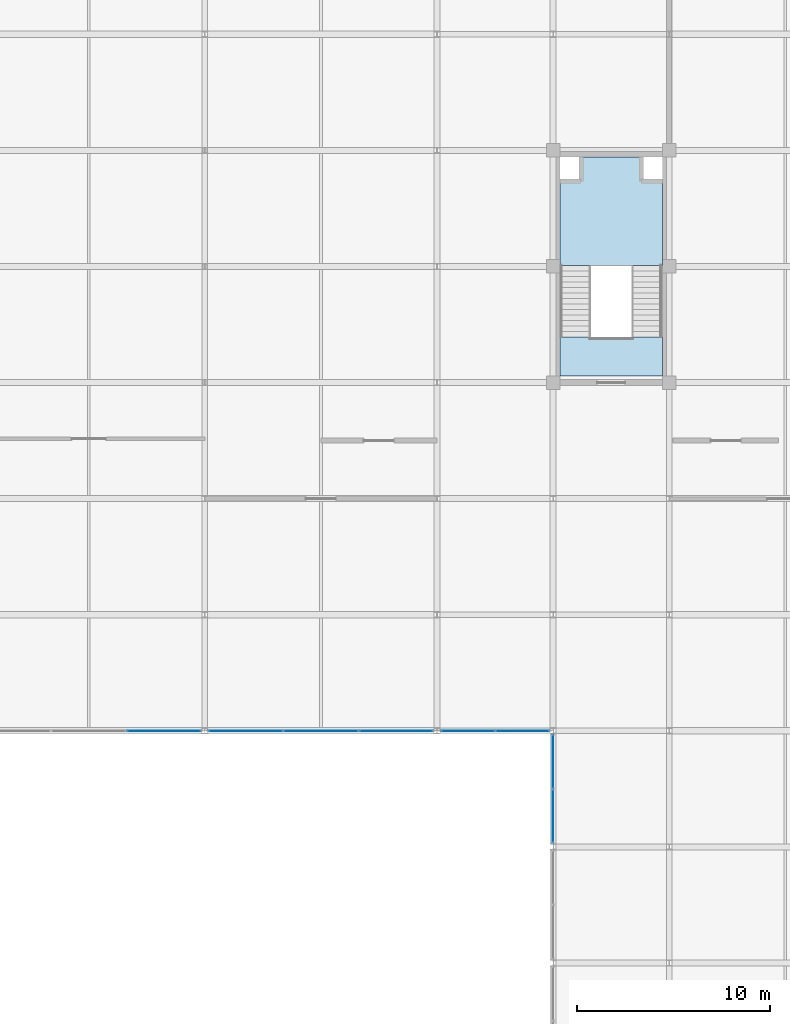
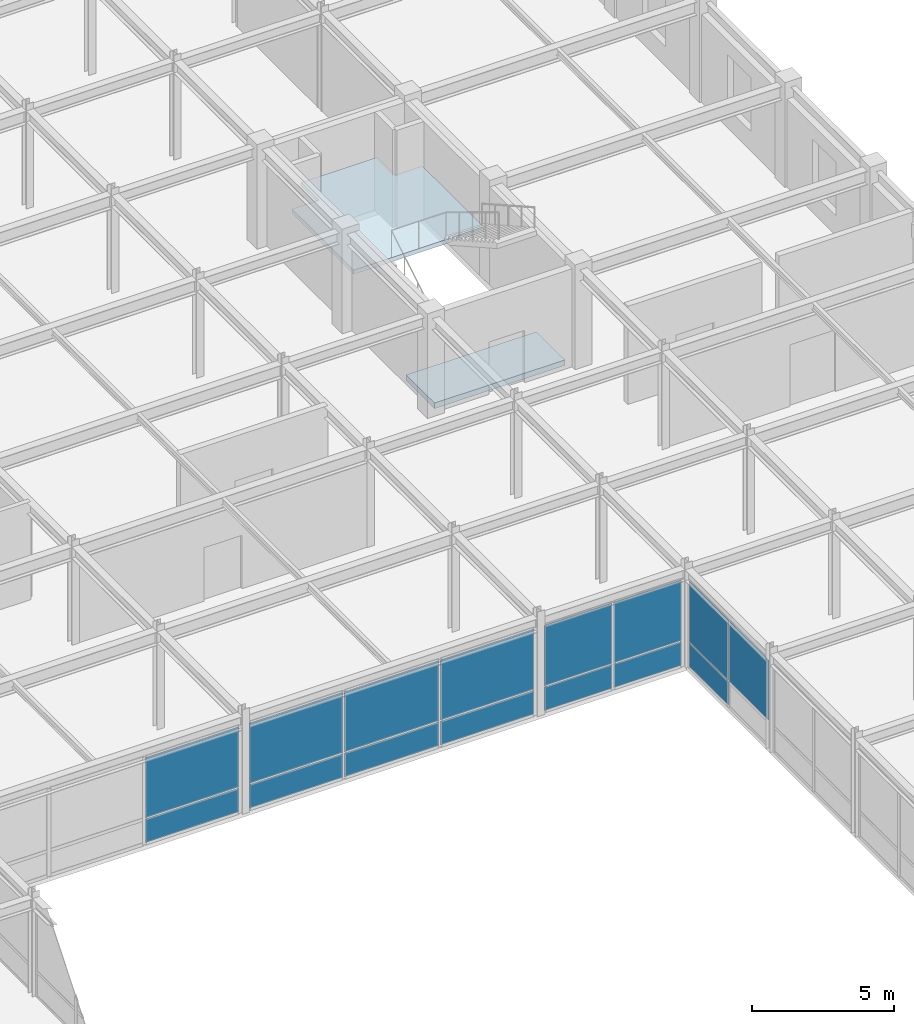
# One storey, part 96 of 108: 15 plates, 2 slabs, 5 elements without a shape of their own.
"""IFC4 building model written with IfcOpenShell, lengths in metres."""

import ifcopenshell
import ifcopenshell.guid

model = None  # the IFC model being written
_history = None  # IfcOwnerHistory: only IFC2X3 demands one
_inside = {}  # id of a spatial element -> (the spatial element, [elements in it])
_under = {}  # id of a project, library or spatial element -> (it, [spatial elements below it])
_declared = {}  # id of a project -> (the project, [libraries it declares])
_typed = {}  # id of a type object -> (the type object, [elements of that type])
_made_of = {}  # id of a material, layer set ... -> (it, [elements and type objects made of it])


def new_model(schema):
    """Start an empty IFC model of exactly this schema.

    Asked for "IFC4X3", IfcOpenShell would pick the latest addendum, in which some entities
    have other attributes; the version numbers below select the first issue.
    IFC2X3 requires an IfcOwnerHistory on every rooted entity: one is made here for all.
    """
    global model, _history
    if schema == "IFC4X3":
        model = ifcopenshell.file(schema_version=(4, 3, 0, 0))
    else:
        model = ifcopenshell.file(schema=schema)
    _inside.clear()
    _under.clear()
    _declared.clear()
    _typed.clear()
    _made_of.clear()
    _history = None
    if model.schema == "IFC2X3":
        org = make("IfcOrganization", Name="unknown")
        user = make(
            "IfcPersonAndOrganization",
            ThePerson=make("IfcPerson", FamilyName="unknown"),
            TheOrganization=org,
        )
        app = make(
            "IfcApplication",
            ApplicationDeveloper=org,
            Version="unknown",
            ApplicationFullName="unknown",
            ApplicationIdentifier="unknown",
        )
        _history = make(
            "IfcOwnerHistory",
            OwningUser=user,
            OwningApplication=app,
            ChangeAction="ADDED",
            CreationDate=0,
        )
    return model


def make(cls, **values):
    """One entity of the class cls with the attributes given. An attribute that is None is left unset."""
    return model.create_entity(
        cls, **{name: value for name, value in values.items() if value is not None}
    )


def rooted(cls, **values):
    """An entity with a GlobalId (a new one), such as an element, a storey or a relation."""
    return make(cls, GlobalId=ifcopenshell.guid.new(), OwnerHistory=_history, **values)


def si_unit(unit_type, name, prefix=None):
    """IfcSIUnit, for example si_unit("LENGTHUNIT", "METRE", prefix="MILLI")."""
    return make("IfcSIUnit", UnitType=unit_type, Prefix=prefix, Name=name)


def assignment(units):
    """IfcUnitAssignment: the units of a project."""
    return None if units is None else make("IfcUnitAssignment", Units=units)


def point(xyz):
    """IfcCartesianPoint."""
    return None if xyz is None else make("IfcCartesianPoint", Coordinates=xyz)


def direction(xyz):
    """IfcDirection."""
    return None if xyz is None else make("IfcDirection", DirectionRatios=xyz)


def frame(location, z_axis=None, x_axis=None):
    """IfcAxis2Placement3D, a coordinate frame: its origin and axes. An axis left out is left unset."""
    return make(
        "IfcAxis2Placement3D",
        Location=point(location),
        Axis=direction(z_axis),
        RefDirection=direction(x_axis),
    )


def frame_2d(location, x_axis=None):
    """IfcAxis2Placement2D, a coordinate frame in the plane: its origin and x axis."""
    return make(
        "IfcAxis2Placement2D", Location=point(location), RefDirection=direction(x_axis)
    )


def origin():
    """The frame at (0, 0, 0) with its axes left unset."""
    return frame((0.0, 0.0, 0.0))


def origin_2d():
    """The frame at (0, 0) in the plane with its x axis left unset."""
    return frame_2d((0.0, 0.0))


def place(relative_to, where):
    """IfcLocalPlacement: puts the frame where relative to a parent placement (None: the world)."""
    return make(
        "IfcLocalPlacement", PlacementRelTo=relative_to, RelativePlacement=where
    )


def context(
    kind, dimensions, precision=None, world=None, true_north=None, identifier=None
):
    """IfcGeometricRepresentationContext, for example the 3D "Model" context."""
    return make(
        "IfcGeometricRepresentationContext",
        ContextIdentifier=identifier,
        ContextType=kind,
        CoordinateSpaceDimension=dimensions,
        Precision=precision,
        WorldCoordinateSystem=world,
        TrueNorth=true_north,
    )


def subcontext(parent, identifier, kind, view, scale=None):
    """IfcGeometricRepresentationSubContext, for example "Body" below "Model"."""
    return make(
        "IfcGeometricRepresentationSubContext",
        ContextIdentifier=identifier,
        ContextType=kind,
        ParentContext=parent,
        TargetScale=scale,
        TargetView=view,
    )


def project(units=None, contexts=None):
    """IfcProject with its units and contexts."""
    return rooted(
        "IfcProject",
        Name="project",
        RepresentationContexts=contexts,
        UnitsInContext=assignment(units),
    )


def spatial(cls, under=None, at=None, **own):
    """A site, building, storey or space (cls), placed at a placement, below another one or the project."""
    s = rooted(cls, ObjectPlacement=at, **own)
    if under is not None:
        _under.setdefault(under.id(), (under, []))[1].append(s)
    return s


def polyline(points):
    """IfcPolyline through the points."""
    return make("IfcPolyline", Points=[point(p) for p in points])


def profile(cls, at=None, kind="AREA", **sizes):
    """A parametric profile (cls). Its sizes go by their IFC names, for example OverallWidth=200.0."""
    return make(cls, ProfileType=kind, Position=at, **sizes)


def rectangle(**sizes):
    """IfcRectangleProfileDef."""
    return profile("IfcRectangleProfileDef", **sizes)


def outline(outer, holes=None, kind="AREA"):
    """IfcArbitraryClosedProfileDef: a profile drawn as a closed curve; with holes, ...WithVoids."""
    if holes is None:
        return make("IfcArbitraryClosedProfileDef", ProfileType=kind, OuterCurve=outer)
    return make(
        "IfcArbitraryProfileDefWithVoids",
        ProfileType=kind,
        OuterCurve=outer,
        InnerCurves=holes,
    )


def extrude(swept, where, along, depth):
    """IfcExtrudedAreaSolid: the profile swept, set in the frame where, extruded along a direction by depth."""
    return make(
        "IfcExtrudedAreaSolid",
        SweptArea=swept,
        Position=where,
        ExtrudedDirection=direction(along),
        Depth=depth,
    )


def shape(context_of_items, identifier, shape_type, items):
    """IfcShapeRepresentation: the items that make up one representation, for example the "Body"."""
    return make(
        "IfcShapeRepresentation",
        ContextOfItems=context_of_items,
        RepresentationIdentifier=identifier,
        RepresentationType=shape_type,
        Items=items,
    )


def material(Name=None, Category=None):
    """IfcMaterial."""
    return make("IfcMaterial", Name=Name, Category=Category)


def layer(
    of_material, thickness, ventilated=None, Name=None, Category=None, Priority=None
):
    """IfcMaterialLayer: one layer of a wall or slab, of a material (None: an air gap)."""
    return make(
        "IfcMaterialLayer",
        Material=of_material,
        LayerThickness=thickness,
        IsVentilated=ventilated,
        Name=Name,
        Category=Category,
        Priority=Priority,
    )


def layer_set(layers, Name=None):
    """IfcMaterialLayerSet."""
    return make("IfcMaterialLayerSet", MaterialLayers=layers, LayerSetName=Name)


def made_of(thing, what):
    """Note that an element or type object is made of a material, layer set ...; save() writes the relation."""
    if what is not None:
        _made_of.setdefault(what.id(), (what, []))[1].append(thing)
    return thing


def type_object(cls, material=None, **own):
    """A type object (cls), such as IfcWallType, which elements share."""
    return made_of(rooted(cls, **own), material)


def element(
    cls,
    number,
    at=None,
    inside=None,
    cuts=None,
    type_object=None,
    material=None,
    context=None,
    identifier="Body",
    shape_type=None,
    held_by="IfcProductDefinitionShape",
    body=None,
    shapes=None,
    **own,
):
    """One element of the class cls, such as IfcWall. Its Tag is "e" and its number.

    at: its placement. inside: the storey or other place that contains it. cuts: it is an
    opening in that element (IfcRelVoidsElement). A single representation is given by context,
    identifier, shape_type and body (its items); several are given by shapes. held_by: the class
    of the entity that holds the representations. save() writes the other relations.
    """
    e = rooted(cls, Tag="e%d" % number, ObjectPlacement=at, **own)
    if body is not None:
        shapes = [shape(context, identifier, shape_type, body)]
    if shapes is not None:
        e.Representation = make(held_by, Representations=shapes)
    if inside is not None:
        _inside.setdefault(inside.id(), (inside, []))[1].append(e)
    if cuts is not None:
        rooted(
            "IfcRelVoidsElement", RelatingBuildingElement=cuts, RelatedOpeningElement=e
        )
    if type_object is not None:
        _typed.setdefault(type_object.id(), (type_object, []))[1].append(e)
    return made_of(e, material)


def aggregate(whole, parts):
    """IfcRelAggregates: a whole, such as a stair, and the parts it consists of."""
    return rooted("IfcRelAggregates", RelatingObject=whole, RelatedObjects=parts)


def save(model, path):
    """Write the relations noted so far, then the file.

    IfcRelAggregates (storeys below a building ...), IfcRelContainedInSpatialStructure (elements
    in a storey), IfcRelDefinesByType, IfcRelAssociatesMaterial and IfcRelDeclares: one each for
    every whole, place, type object, material and project.
    """
    for whole, parts in _under.values():
        aggregate(whole, parts)
    for where, things in _inside.values():
        rooted(
            "IfcRelContainedInSpatialStructure",
            RelatedElements=things,
            RelatingStructure=where,
        )
    for kind, things in _typed.values():
        rooted("IfcRelDefinesByType", RelatedObjects=things, RelatingType=kind)
    for what, things in _made_of.values():
        rooted("IfcRelAssociatesMaterial", RelatedObjects=things, RelatingMaterial=what)
    for by, libraries in _declared.values():
        rooted("IfcRelDeclares", RelatingContext=by, RelatedDefinitions=libraries)
    model.write(path)


model = new_model("IFC4")

# Units and contexts
model_context = context("Model", 3, precision=1e-05, world=origin(), true_north=direction((0.0, 1.0)))
body_context = subcontext(model_context, "Body", "Model", "MODEL_VIEW")
ifc_project = project(units=[si_unit("LENGTHUNIT", "METRE"), si_unit("AREAUNIT", "SQUARE_METRE"), si_unit("VOLUMEUNIT", "CUBIC_METRE"), si_unit("PLANEANGLEUNIT", "RADIAN"), si_unit("MASSUNIT", "GRAM", prefix="KILO")], contexts=[model_context])

# Site, building, storey
site_placement = place(None, origin())
site = spatial("IfcSite", under=ifc_project, at=site_placement, CompositionType="ELEMENT")
building_placement = place(site_placement, origin())
building = spatial("IfcBuilding", under=site, at=building_placement, Name="Zlatovratsky Civic Hall", CompositionType="ELEMENT")
storey_placement = place(building_placement, frame((0.0, 0.0, 12.0)))
storey = spatial("IfcBuildingStorey", under=building, at=storey_placement, Name="L03", CompositionType="ELEMENT", Elevation=12.0)

# Curtain wall, plates
ifc_material_1 = material(Name="Anodised bronze aluminium", Category="aluminium")
ifc_layer_1 = layer(ifc_material_1, 0.159912109375)
ifc_layer_set_1 = layer_set([ifc_layer_1], Name="Anodised bronze aluminium")
curtain_wall_type_1 = type_object("IfcCurtainWallType", Name="CurtainWall_Bronze_11700x3770_11", PredefinedType="NOTDEFINED", material=ifc_layer_set_1)
curtain_wall_1_placement = place(storey_placement, origin())
curtain_wall_1 = element("IfcCurtainWall", 1, at=curtain_wall_1_placement, inside=storey, type_object=curtain_wall_type_1, Name="CW-072", PredefinedType="NOTDEFINED")
ifc_material_2 = material(Name="Low-E laminated double glazing", Category="glass")
ifc_layer_2 = layer(ifc_material_2, 0.02392578125)
ifc_layer_set_2 = layer_set([ifc_layer_2], Name="Low-E laminated double glazing")
plate_type = type_object("IfcPlateType", Name="Panel_CourtGlazing_24", PredefinedType="CURTAIN_PANEL", material=ifc_layer_set_2)
plate_1_placement = place(storey_placement, frame((129.88525390625, 66.0, 0.06005859375), z_axis=(0.0, 0.0, 1.0), x_axis=(1.0, 0.0, 0.0)))
plate_1 = element("IfcPlate", 2, at=plate_1_placement, type_object=plate_type, Name="CW-11 panel 3.1", PredefinedType="CURTAIN_PANEL", context=body_context, shape_type="SweptSolid", body=[
    extrude(rectangle(XDim=3.810302734375, YDim=0.02392578125, at=origin_2d()), origin(), (0.0, 0.0, 1.0), 1.010009765625),
])
plate_2_placement = place(storey_placement, frame((129.88525390625, 66.0, 1.1298828125), z_axis=(0.0, 0.0, 1.0), x_axis=(1.0, 0.0, 0.0)))
plate_2 = element("IfcPlate", 3, at=plate_2_placement, type_object=plate_type, Name="CW-11 panel 3.2", PredefinedType="CURTAIN_PANEL", context=body_context, shape_type="SweptSolid", body=[
    extrude(rectangle(XDim=3.810302734375, YDim=0.02392578125, at=origin_2d()), origin(), (0.0, 0.0, 1.0), 2.580078125),
])
aggregate(curtain_wall_1, [plate_1, plate_2])

curtain_wall_2_placement = place(storey_placement, origin())
curtain_wall_2 = element("IfcCurtainWall", 4, at=curtain_wall_2_placement, inside=storey, type_object=curtain_wall_type_1, Name="CW-073", PredefinedType="NOTDEFINED")
plate_3_placement = place(storey_placement, frame((134.11474609375, 66.0, 0.06005859375), z_axis=(0.0, 0.0, 1.0), x_axis=(1.0, 0.0, 0.0)))
plate_3 = element("IfcPlate", 5, at=plate_3_placement, type_object=plate_type, Name="CW-11 panel 1.1", PredefinedType="CURTAIN_PANEL", context=body_context, shape_type="SweptSolid", body=[
    extrude(rectangle(XDim=3.810302734375, YDim=0.02392578125, at=origin_2d()), origin(), (0.0, 0.0, 1.0), 1.010009765625),
])
plate_4_placement = place(storey_placement, frame((134.11474609375, 66.0, 1.1298828125), z_axis=(0.0, 0.0, 1.0), x_axis=(1.0, 0.0, 0.0)))
plate_4 = element("IfcPlate", 6, at=plate_4_placement, type_object=plate_type, Name="CW-11 panel 1.2", PredefinedType="CURTAIN_PANEL", context=body_context, shape_type="SweptSolid", body=[
    extrude(rectangle(XDim=3.810302734375, YDim=0.02392578125, at=origin_2d()), origin(), (0.0, 0.0, 1.0), 2.580078125),
])
plate_5_placement = place(storey_placement, frame((138.0, 66.0, 0.06005859375), z_axis=(0.0, 0.0, 1.0), x_axis=(1.0, 0.0, 0.0)))
plate_5 = element("IfcPlate", 7, at=plate_5_placement, type_object=plate_type, Name="CW-11 panel 2.1", PredefinedType="CURTAIN_PANEL", context=body_context, shape_type="SweptSolid", body=[
    extrude(rectangle(XDim=3.84033203125, YDim=0.02392578125, at=origin_2d()), origin(), (0.0, 0.0, 1.0), 1.010009765625),
])
plate_6_placement = place(storey_placement, frame((138.0, 66.0, 1.1298828125), z_axis=(0.0, 0.0, 1.0), x_axis=(1.0, 0.0, 0.0)))
plate_6 = element("IfcPlate", 8, at=plate_6_placement, type_object=plate_type, Name="CW-11 panel 2.2", PredefinedType="CURTAIN_PANEL", context=body_context, shape_type="SweptSolid", body=[
    extrude(rectangle(XDim=3.84033203125, YDim=0.02392578125, at=origin_2d()), origin(), (0.0, 0.0, 1.0), 2.580078125),
])
plate_7_placement = place(storey_placement, frame((141.88525390625, 66.0, 0.06005859375), z_axis=(0.0, 0.0, 1.0), x_axis=(1.0, 0.0, 0.0)))
plate_7 = element("IfcPlate", 9, at=plate_7_placement, type_object=plate_type, Name="CW-11 panel 3.1", PredefinedType="CURTAIN_PANEL", context=body_context, shape_type="SweptSolid", body=[
    extrude(rectangle(XDim=3.810302734375, YDim=0.02392578125, at=origin_2d()), origin(), (0.0, 0.0, 1.0), 1.010009765625),
])
plate_8_placement = place(storey_placement, frame((141.88525390625, 66.0, 1.1298828125), z_axis=(0.0, 0.0, 1.0), x_axis=(1.0, 0.0, 0.0)))
plate_8 = element("IfcPlate", 10, at=plate_8_placement, type_object=plate_type, Name="CW-11 panel 3.2", PredefinedType="CURTAIN_PANEL", context=body_context, shape_type="SweptSolid", body=[
    extrude(rectangle(XDim=3.810302734375, YDim=0.02392578125, at=origin_2d()), origin(), (0.0, 0.0, 1.0), 2.580078125),
])
aggregate(curtain_wall_2, [plate_3, plate_4, plate_5, plate_6, plate_7, plate_8])

ifc_layer_3 = layer(ifc_material_1, 0.159912109375)
ifc_layer_set_3 = layer_set([ifc_layer_3], Name="Anodised bronze aluminium")
curtain_wall_type_2 = type_object("IfcCurtainWallType", Name="CurtainWall_Bronze_5700x3770_12", PredefinedType="NOTDEFINED", material=ifc_layer_set_3)
curtain_wall_3_placement = place(storey_placement, origin())
curtain_wall_3 = element("IfcCurtainWall", 11, at=curtain_wall_3_placement, inside=storey, type_object=curtain_wall_type_2, Name="CW-074", PredefinedType="NOTDEFINED")
plate_9_placement = place(storey_placement, frame((145.58984375, 66.0, 0.06005859375), z_axis=(0.0, 0.0, 1.0), x_axis=(1.0, 0.0, 0.0)))
plate_9 = element("IfcPlate", 12, at=plate_9_placement, type_object=plate_type, Name="CW-12 panel 1.1", PredefinedType="CURTAIN_PANEL", context=body_context, shape_type="SweptSolid", body=[
    extrude(rectangle(XDim=2.760498046875, YDim=0.02392578125, at=origin_2d()), origin(), (0.0, 0.0, 1.0), 1.010009765625),
])
plate_10_placement = place(storey_placement, frame((145.58984375, 66.0, 1.1298828125), z_axis=(0.0, 0.0, 1.0), x_axis=(1.0, 0.0, 0.0)))
plate_10 = element("IfcPlate", 13, at=plate_10_placement, type_object=plate_type, Name="CW-12 panel 1.2", PredefinedType="CURTAIN_PANEL", context=body_context, shape_type="SweptSolid", body=[
    extrude(rectangle(XDim=2.760498046875, YDim=0.02392578125, at=origin_2d()), origin(), (0.0, 0.0, 1.0), 2.580078125),
])
plate_11_placement = place(storey_placement, frame((148.41015625, 66.0, 0.06005859375), z_axis=(0.0, 0.0, 1.0), x_axis=(1.0, 0.0, 0.0)))
plate_11 = element("IfcPlate", 14, at=plate_11_placement, type_object=plate_type, Name="CW-12 panel 2.1", PredefinedType="CURTAIN_PANEL", context=body_context, shape_type="SweptSolid", body=[
    extrude(rectangle(XDim=2.760498046875, YDim=0.02392578125, at=origin_2d()), origin(), (0.0, 0.0, 1.0), 1.010009765625),
])
plate_12_placement = place(storey_placement, frame((148.41015625, 66.0, 1.1298828125), z_axis=(0.0, 0.0, 1.0), x_axis=(1.0, 0.0, 0.0)))
plate_12 = element("IfcPlate", 15, at=plate_12_placement, type_object=plate_type, Name="CW-12 panel 2.2", PredefinedType="CURTAIN_PANEL", context=body_context, shape_type="SweptSolid", body=[
    extrude(rectangle(XDim=2.760498046875, YDim=0.02392578125, at=origin_2d()), origin(), (0.0, 0.0, 1.0), 2.580078125),
])
aggregate(curtain_wall_3, [plate_9, plate_10, plate_11, plate_12])

curtain_wall_4_placement = place(storey_placement, origin())
curtain_wall_4 = element("IfcCurtainWall", 16, at=curtain_wall_4_placement, inside=storey, type_object=curtain_wall_type_2, Name="CW-086", PredefinedType="NOTDEFINED")
plate_13_placement = place(storey_placement, frame((150.0, 61.589111328125, 1.1298828125), z_axis=(0.0, 0.0, 1.0), x_axis=(0.0, 1.0, 0.0)))
plate_13 = element("IfcPlate", 17, at=plate_13_placement, type_object=plate_type, Name="CW-12 panel 1.2", PredefinedType="CURTAIN_PANEL", context=body_context, shape_type="SweptSolid", body=[
    extrude(rectangle(XDim=2.761962890625, YDim=0.02392578125, at=origin_2d()), origin(), (0.0, 0.0, 1.0), 2.580078125),
])
plate_14_placement = place(storey_placement, frame((150.0, 64.410888671875, 0.06005859375), z_axis=(0.0, 0.0, 1.0), x_axis=(0.0, 1.0, 0.0)))
plate_14 = element("IfcPlate", 18, at=plate_14_placement, type_object=plate_type, Name="CW-12 panel 2.1", PredefinedType="CURTAIN_PANEL", context=body_context, shape_type="SweptSolid", body=[
    extrude(rectangle(XDim=2.761962890625, YDim=0.02392578125, at=origin_2d()), origin(), (0.0, 0.0, 1.0), 1.010009765625),
])
plate_15_placement = place(storey_placement, frame((150.0, 64.410888671875, 1.1298828125), z_axis=(0.0, 0.0, 1.0), x_axis=(0.0, 1.0, 0.0)))
plate_15 = element("IfcPlate", 19, at=plate_15_placement, type_object=plate_type, Name="CW-12 panel 2.2", PredefinedType="CURTAIN_PANEL", context=body_context, shape_type="SweptSolid", body=[
    extrude(rectangle(XDim=2.761962890625, YDim=0.02392578125, at=origin_2d()), origin(), (0.0, 0.0, 1.0), 2.580078125),
])
aggregate(curtain_wall_4, [plate_13, plate_14, plate_15])

# Slab
ifc_material_3 = material(Name="Concrete C30/37 (B35)", Category="concrete")
ifc_layer_4 = layer(ifc_material_3, 0.239990234375)
ifc_layer_set_4 = layer_set([ifc_layer_4], Name="Concrete C30/37 (B35)")
slab_type_1 = type_object("IfcSlabType", Name="Slab_CivicPodiumFloor_240", PredefinedType="FLOOR", material=ifc_layer_set_4)
slab_1_placement = place(storey_placement, frame((0.0, 0.0, -0.239990234375)))
element("IfcSlab", 20, at=slab_1_placement, inside=storey, type_object=slab_type_1, Name="SL-036", PredefinedType="FLOOR", context=body_context, shape_type="SweptSolid", body=[
    extrude(outline(polyline([(150.35009765625, 84.35009765625), (155.64990234375, 84.35009765625), (155.64990234375, 86.35009765625), (150.35009765625, 86.35009765625), (150.35009765625, 84.35009765625)])), origin(), (0.0, 0.0, 1.0), 0.239990234375),
])

# Stair, slab
stair_type = type_object("IfcStairType", Name="Stair_HALF_28R_1600W_08", PredefinedType="HALF_TURN_STAIR", material=ifc_material_3)
stair_placement = place(storey_placement, origin())
stair = element("IfcStair", 21, at=stair_placement, inside=storey, type_object=stair_type, Name="ST-053", PredefinedType="HALF_TURN_STAIR")
ifc_layer_5 = layer(ifc_material_3, 0.179931640625)
ifc_layer_set_5 = layer_set([ifc_layer_5], Name="Concrete C30/37 (B35)")
slab_type_2 = type_object("IfcSlabType", Name="Slab_StairLanding_180", PredefinedType="LANDING", material=ifc_layer_set_5)
slab_2_placement = place(storey_placement, frame((0.0, 0.0, 2.070068359375)))
slab_2 = element("IfcSlab", 22, at=slab_2_placement, type_object=slab_type_2, Name="SL-LD-53", PredefinedType="LANDING", context=body_context, shape_type="SweptSolid", body=[
    extrude(outline(polyline([(150.35009765625, 90.054931640625), (155.64990234375, 90.054931640625), (155.64990234375, 94.39990234375), (154.550048828125, 94.39990234375), (154.550048828125, 95.64990234375), (151.449951171875, 95.64990234375), (151.449951171875, 94.39990234375), (150.35009765625, 94.39990234375), (150.35009765625, 90.054931640625)])), origin(), (0.0, 0.0, 1.0), 0.179931640625),
])
aggregate(stair, [slab_2])

save(model, "model.ifc")
